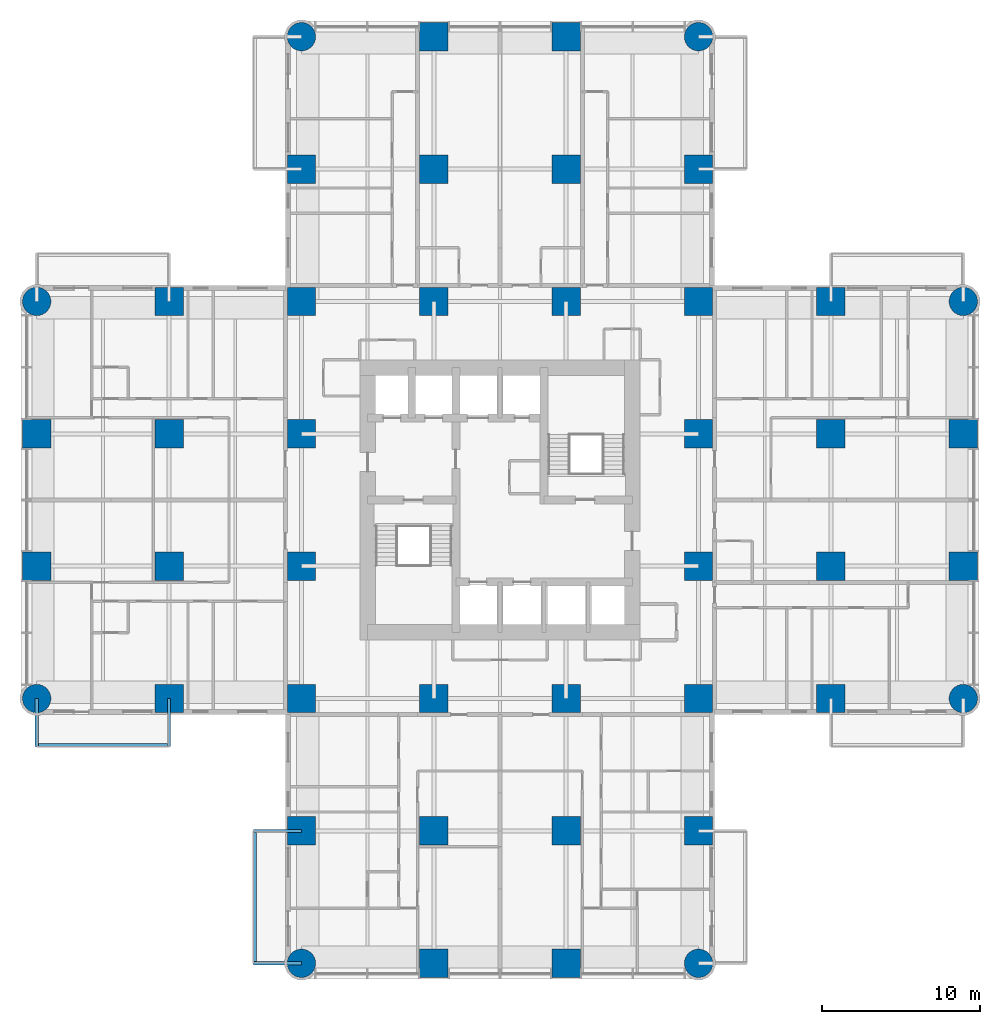
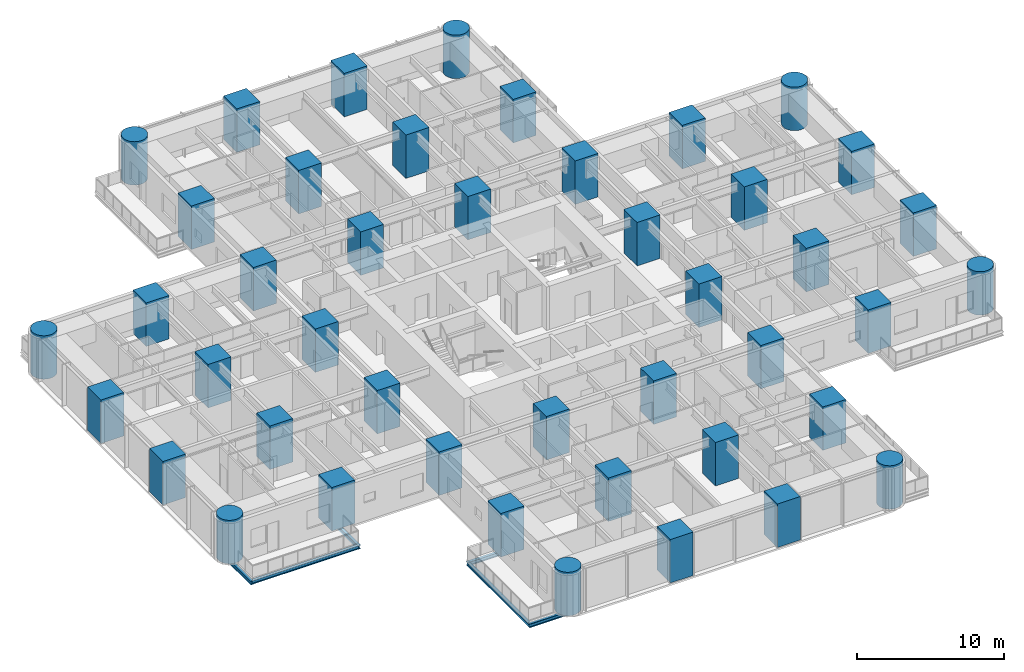
# One storey, part 1 of 17: 44 columns, 6 beams.
"""IFC4 building model written with IfcOpenShell, lengths in metres."""

from ifc_helpers import new_model, si_unit, direction, frame, origin, origin_2d, place, context, subcontext, project, spatial, rectangle, circle, i_section, extrude, material, material_profile, profile_set, type_object, element, save


model = new_model("IFC4")

# Units and contexts
model_context = context("Model", 3, precision=1e-05, world=origin(), true_north=direction((0.0, 1.0)))
body_context = subcontext(model_context, "Body", "Model", "MODEL_VIEW")
ifc_project = project(units=[si_unit("LENGTHUNIT", "METRE"), si_unit("AREAUNIT", "SQUARE_METRE"), si_unit("VOLUMEUNIT", "CUBIC_METRE"), si_unit("PLANEANGLEUNIT", "RADIAN"), si_unit("MASSUNIT", "GRAM", prefix="KILO")], contexts=[model_context])

# Site, building, storey
site_placement = place(None, origin())
site = spatial("IfcSite", under=ifc_project, at=site_placement, CompositionType="ELEMENT")
building_placement = place(site_placement, origin())
building = spatial("IfcBuilding", under=site, at=building_placement, Name="Torre Alcanfor", CompositionType="ELEMENT")
storey_placement = place(building_placement, frame((0.0, 0.0, 92.10009765625)))
storey = spatial("IfcBuildingStorey", under=building, at=storey_placement, Name="L23", CompositionType="ELEMENT", Elevation=92.10009765625)

# Columns
ifc_material_1 = material(Name="Concrete f'c 70 MPa", Category="concrete")
ifc_material_profile_1 = material_profile(ifc_material_1, rectangle(XDim=1.800048828125, YDim=1.800048828125, at=origin_2d()), Name="1800x1800")
ifc_profile_set_1 = profile_set([ifc_material_profile_1], Name="Concrete f'c 70 MPa")
column_type_1 = type_object("IfcColumnType", Name="RC column 1800x1800 f'c70", PredefinedType="COLUMN", material=ifc_profile_set_1)
for number, where, z_axis, x_axis, name in (
    (1, (0.0, 25.199951171875, 0.0), (0.0, 0.0, 1.0), (1.0, 0.0, 0.0), "Column 1/F L23"),
    (2, (0.0, 33.60009765625, 0.0), (0.0, 0.0, 1.0), (1.0, 0.0, 0.0), "Column 1/G L23"),
    (3, (8.39990234375, 16.800048828125, 0.0), (0.0, 0.0, 1.0), (1.0, 0.0, 0.0), "Column 2/E L23"),
    (4, (8.39990234375, 25.199951171875, 0.0), (0.0, 0.0, 1.0), (1.0, 0.0, 0.0), "Column 2/F L23"),
    (5, (8.39990234375, 33.60009765625, 0.0), (0.0, 0.0, 1.0), (1.0, 0.0, 0.0), "Column 2/G L23"),
    (6, (8.39990234375, 42.0, 0.0), (0.0, 0.0, 1.0), (1.0, 0.0, 0.0), "Column 2/H L23"),
    (7, (16.800048828125, 8.39990234375, 0.0), (0.0, 0.0, 1.0), (1.0, 0.0, 0.0), "Column 3/D L23"),
    (8, (16.800048828125, 16.800048828125, 0.0), (0.0, 0.0, 1.0), (1.0, 0.0, 0.0), "Column 3/E L23"),
    (9, (16.800048828125, 25.199951171875, 0.0), (0.0, 0.0, 1.0), (1.0, 0.0, 0.0), "Column 3/F L23"),
    (10, (16.800048828125, 33.60009765625, 0.0), (0.0, 0.0, 1.0), (1.0, 0.0, 0.0), "Column 3/G L23"),
    (11, (16.800048828125, 42.0, 0.0), (0.0, 0.0, 1.0), (1.0, 0.0, 0.0), "Column 3/H L23"),
    (12, (16.800048828125, 50.39990234375, 0.0), (0.0, 0.0, 1.0), (1.0, 0.0, 0.0), "Column 3/J L23"),
    (13, (25.199951171875, 0.0, 0.0), (0.0, 0.0, 1.0), (1.0, 0.0, 0.0), "Column 4/C L23"),
    (14, (25.199951171875, 8.39990234375, 0.0), (0.0, 0.0, 1.0), (1.0, 0.0, 0.0), "Column 4/D L23"),
    (15, (25.199951171875, 16.800048828125, 0.0), (0.0, 0.0, 1.0), (1.0, 0.0, 0.0), "Column 4/E L23"),
    (16, (25.199951171875, 42.0, 0.0), (0.0, 0.0, 1.0), (1.0, 0.0, 0.0), "Column 4/H L23"),
    (17, (25.199951171875, 50.39990234375, 0.0), (0.0, 0.0, 1.0), (1.0, 0.0, 0.0), "Column 4/J L23"),
    (18, (25.199951171875, 58.800048828125, 0.0), (0.0, 0.0, 1.0), (1.0, 0.0, 0.0), "Column 4/K L23"),
    (19, (33.60009765625, 0.0, 0.0), (0.0, 0.0, 1.0), (1.0, 0.0, 0.0), "Column 5/C L23"),
    (20, (33.60009765625, 8.39990234375, 0.0), (0.0, 0.0, 1.0), (1.0, 0.0, 0.0), "Column 5/D L23"),
    (21, (33.60009765625, 16.800048828125, 0.0), (0.0, 0.0, 1.0), (1.0, 0.0, 0.0), "Column 5/E L23"),
    (22, (33.60009765625, 42.0, 0.0), (0.0, 0.0, 1.0), (1.0, 0.0, 0.0), "Column 5/H L23"),
    (23, (33.60009765625, 50.39990234375, 0.0), (0.0, 0.0, 1.0), (1.0, 0.0, 0.0), "Column 5/J L23"),
    (24, (33.60009765625, 58.800048828125, 0.0), (0.0, 0.0, 1.0), (1.0, 0.0, 0.0), "Column 5/K L23"),
    (25, (42.0, 8.39990234375, 0.0), (0.0, 0.0, 1.0), (1.0, 0.0, 0.0), "Column 6/D L23"),
    (26, (42.0, 16.800048828125, 0.0), (0.0, 0.0, 1.0), (1.0, 0.0, 0.0), "Column 6/E L23"),
    (27, (42.0, 25.199951171875, 0.0), (0.0, 0.0, 1.0), (1.0, 0.0, 0.0), "Column 6/F L23"),
    (28, (42.0, 33.60009765625, 0.0), (0.0, 0.0, 1.0), (1.0, 0.0, 0.0), "Column 6/G L23"),
    (29, (42.0, 42.0, 0.0), (0.0, 0.0, 1.0), (1.0, 0.0, 0.0), "Column 6/H L23"),
    (30, (42.0, 50.39990234375, 0.0), (0.0, 0.0, 1.0), (1.0, 0.0, 0.0), "Column 6/J L23"),
    (31, (50.39990234375, 16.800048828125, 0.0), (0.0, 0.0, 1.0), (1.0, 0.0, 0.0), "Column 7/E L23"),
    (32, (50.39990234375, 25.199951171875, 0.0), (0.0, 0.0, 1.0), (1.0, 0.0, 0.0), "Column 7/F L23"),
    (33, (50.39990234375, 33.60009765625, 0.0), (0.0, 0.0, 1.0), (1.0, 0.0, 0.0), "Column 7/G L23"),
    (34, (50.39990234375, 42.0, 0.0), (0.0, 0.0, 1.0), (1.0, 0.0, 0.0), "Column 7/H L23"),
    (35, (58.800048828125, 25.199951171875, 0.0), (0.0, 0.0, 1.0), (1.0, 0.0, 0.0), "Column 8/F L23"),
    (36, (58.800048828125, 33.60009765625, 0.0), (0.0, 0.0, 1.0), (1.0, 0.0, 0.0), "Column 8/G L23"),
):
    element("IfcColumn", number, at=place(storey_placement, frame(where, z_axis=z_axis, x_axis=x_axis)), inside=storey, type_object=column_type_1, Name=name, PredefinedType="COLUMN", context=body_context, shape_type="SweptSolid", body=[
        extrude(rectangle(XDim=1.800048828125, YDim=1.800048828125, at=origin_2d()), origin(), (0.0, 0.0, 1.0), 3.599853515625),
    ])
ifc_material_2 = material(Name="Concrete f'c 70 MPa", Category="concrete")
ifc_material_profile_2 = material_profile(ifc_material_2, circle(Radius=0.89990234375, at=origin_2d()), Name="D1800")
ifc_profile_set_2 = profile_set([ifc_material_profile_2], Name="Concrete f'c 70 MPa")
column_type_2 = type_object("IfcColumnType", Name="RC column D1800 f'c70", PredefinedType="COLUMN", material=ifc_profile_set_2)
for number, where, z_axis, x_axis, name in (
    (37, (0.0, 16.800048828125, 0.0), (0.0, 0.0, 1.0), (1.0, 0.0, 0.0), "Column 1/E L23"),
    (38, (0.0, 42.0, 0.0), (0.0, 0.0, 1.0), (1.0, 0.0, 0.0), "Column 1/H L23"),
    (39, (16.800048828125, 0.0, 0.0), (0.0, 0.0, 1.0), (1.0, 0.0, 0.0), "Column 3/C L23"),
    (40, (16.800048828125, 58.800048828125, 0.0), (0.0, 0.0, 1.0), (1.0, 0.0, 0.0), "Column 3/K L23"),
    (41, (42.0, 0.0, 0.0), (0.0, 0.0, 1.0), (1.0, 0.0, 0.0), "Column 6/C L23"),
    (42, (42.0, 58.800048828125, 0.0), (0.0, 0.0, 1.0), (1.0, 0.0, 0.0), "Column 6/K L23"),
    (43, (58.800048828125, 16.800048828125, 0.0), (0.0, 0.0, 1.0), (1.0, 0.0, 0.0), "Column 8/E L23"),
    (44, (58.800048828125, 42.0, 0.0), (0.0, 0.0, 1.0), (1.0, 0.0, 0.0), "Column 8/H L23"),
):
    element("IfcColumn", number, at=place(storey_placement, frame(where, z_axis=z_axis, x_axis=x_axis)), inside=storey, type_object=column_type_2, Name=name, PredefinedType="COLUMN", context=body_context, shape_type="SweptSolid", body=[
        extrude(circle(Radius=0.89990234375, at=origin_2d()), origin(), (0.0, 0.0, 1.0), 3.599853515625),
    ])

# Beams
ifc_material_3 = material(Name="Steel ASTM A992 Grade 50", Category="steel")
ifc_material_profile_3 = material_profile(ifc_material_3, i_section(OverallWidth=0.205322265625, OverallDepth=0.309814453125, WebThickness=0.00927734375, FlangeThickness=0.016357421875, at=origin_2d()), Name="W12x50")
ifc_profile_set_3 = profile_set([ifc_material_profile_3], Name="Steel ASTM A992 Grade 50")
beam_type_1 = type_object("IfcBeamType", Name="Balcony cantilever beam W12x50", PredefinedType="BEAM", material=ifc_profile_set_3)
for number, where, z_axis, x_axis, name in (
    (45, (16.800048828125, 8.39990234375, -0.35498046875), (-1.0, 0.0, 0.0), (0.0, -1.0, 0.0), "Balcony cantilever beam L23-S2 1"),
    (46, (16.800048828125, 0.0, -0.35498046875), (-1.0, 0.0, 0.0), (0.0, -1.0, 0.0), "Balcony cantilever beam L23-S2 2"),
    (47, (8.39990234375, 16.800048828125, -0.35498046875), (0.0, -1.0, 0.0), (1.0, 0.0, 0.0), "Balcony cantilever beam L23-W1 1"),
    (48, (0.0, 16.800048828125, -0.35498046875), (0.0, -1.0, 0.0), (1.0, 0.0, 0.0), "Balcony cantilever beam L23-W1 2"),
):
    element("IfcBeam", number, at=place(storey_placement, frame(where, z_axis=z_axis, x_axis=x_axis)), inside=storey, type_object=beam_type_1, Name=name, PredefinedType="BEAM", context=body_context, shape_type="SweptSolid", body=[
        extrude(i_section(OverallWidth=0.205322265625, OverallDepth=0.309814453125, WebThickness=0.00927734375, FlangeThickness=0.016357421875, at=origin_2d()), origin(), (0.0, 0.0, 1.0), 3.050048828125),
    ])
ifc_material_4 = material(Name="Steel ASTM A992 Grade 50", Category="steel")
ifc_material_profile_4 = material_profile(ifc_material_4, i_section(OverallWidth=0.203369140625, OverallDepth=0.30224609375, WebThickness=0.007568359375, FlangeThickness=0.01318359375, at=origin_2d()), Name="W12x40")
ifc_profile_set_4 = profile_set([ifc_material_profile_4], Name="Steel ASTM A992 Grade 50")
beam_type_2 = type_object("IfcBeamType", Name="Balcony edge trimmer W12x40", PredefinedType="BEAM", material=ifc_profile_set_4)
for number, where, z_axis, x_axis, name in (
    (49, (13.851806640625, 8.39990234375, -0.351318359375), (0.0, -1.0, 0.0), (1.0, 0.0, 0.0), "Balcony edge trimmer L23-S2"),
    (50, (8.39990234375, 13.851806640625, -0.351318359375), (-1.0, 0.0, 0.0), (0.0, -1.0, 0.0), "Balcony edge trimmer L23-W1"),
):
    element("IfcBeam", number, at=place(storey_placement, frame(where, z_axis=z_axis, x_axis=x_axis)), inside=storey, type_object=beam_type_2, Name=name, PredefinedType="BEAM", context=body_context, shape_type="SweptSolid", body=[
        extrude(i_section(OverallWidth=0.203369140625, OverallDepth=0.30224609375, WebThickness=0.007568359375, FlangeThickness=0.01318359375, at=origin_2d()), origin(), (0.0, 0.0, 1.0), 8.39990234375),
    ])

save(model, "model.ifc")
